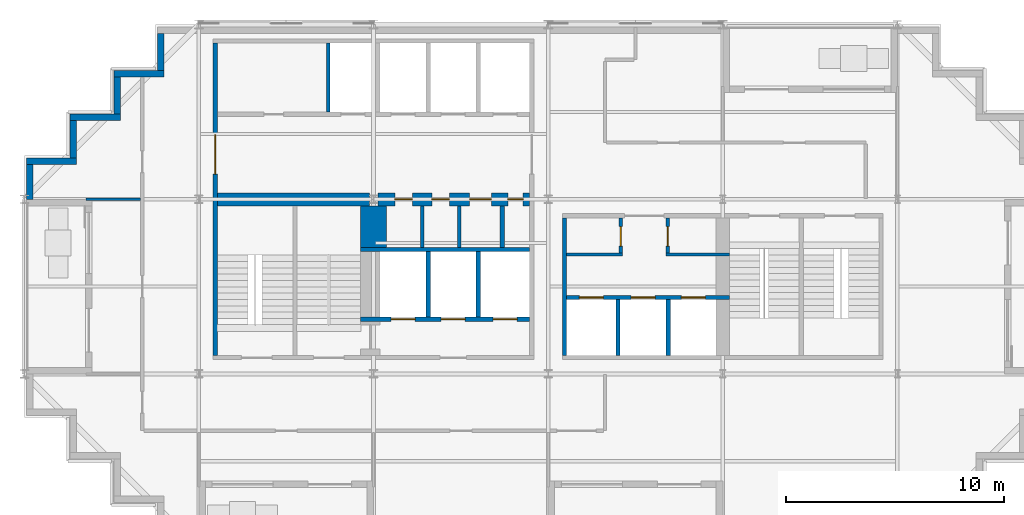
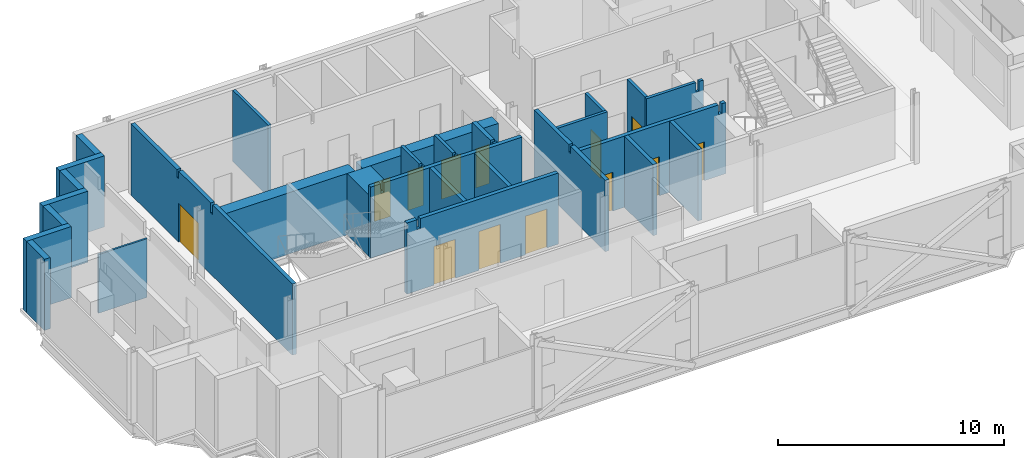
# One storey, part 5 of 9: 28 walls, 13 doors, 13 openings.
"""IFC4 building model written with IfcOpenShell, lengths in metres."""

from ifc_helpers import new_model, si_unit, direction, frame, frame_2d, origin, place, context, subcontext, project, spatial, polyline, rectangle, outline, extrude, material, layer, layer_set, type_object, element, fill, save


model = new_model("IFC4")

# Units and contexts
model_context = context("Model", 3, precision=1e-05, world=origin(), true_north=direction((0.0, 1.0)))
body_context = subcontext(model_context, "Body", "Model", "MODEL_VIEW")
ifc_project = project(units=[si_unit("LENGTHUNIT", "METRE"), si_unit("AREAUNIT", "SQUARE_METRE"), si_unit("VOLUMEUNIT", "CUBIC_METRE"), si_unit("PLANEANGLEUNIT", "RADIAN"), si_unit("MASSUNIT", "GRAM", prefix="KILO")], contexts=[model_context])

# Site, building, storey
site_placement = place(None, origin())
site = spatial("IfcSite", under=ifc_project, at=site_placement, CompositionType="ELEMENT")
building_placement = place(site_placement, origin())
building = spatial("IfcBuilding", under=site, at=building_placement, Name="Immortelle Media Tower", CompositionType="ELEMENT")
storey_placement = place(building_placement, frame((0.0, 0.0, 271.0)))
storey = spatial("IfcBuildingStorey", under=building, at=storey_placement, Name="L59", CompositionType="ELEMENT", Elevation=271.0)

# Wall, openings, doors
ifc_material_1 = material(Name="Fire-rated masonry blockwork", Category="masonry")
ifc_layer_1 = layer(ifc_material_1, 0.60009765625)
ifc_layer_set_1 = layer_set([ifc_layer_1], Name="Fire-rated masonry blockwork")
wall_type_1 = type_object("IfcWallType", Name="Core grid-line wall 600", PredefinedType="PARTITIONING", material=ifc_layer_set_1)
wall_1_placement = place(storey_placement, frame((16.195556640625, 16.0, 0.0), z_axis=(0.0, 0.0, 1.0), x_axis=(1.0, 0.0, 0.0)))
wall_1 = element("IfcWall", 1, at=wall_1_placement, inside=storey, type_object=wall_type_1, Name="Core grid-line wall SW", PredefinedType="PARTITIONING", context=body_context, shape_type="SweptSolid", body=[
    extrude(rectangle(XDim=6.954345703125, YDim=0.60009765625, at=frame_2d((3.47705078125, 0.0))), origin(), (0.0, 0.0, 1.0), 3.318115234375),
])
opening_1_placement = place(wall_1_placement, frame((1.57958984375, 0.0, 0.0), z_axis=(0.0, 0.0, 1.0), x_axis=(-1.0, 0.0, 0.0)))
opening_1 = element("IfcOpeningElement", 2, at=opening_1_placement, cuts=wall_1, Name="Opening X3-K027", PredefinedType="OPENING", context=body_context, shape_type="SweptSolid", body=[
    extrude(rectangle(XDim=0.800048828125, YDim=2.10009765625, at=frame_2d((0.39990234375, 1.050048828125))), frame((0.0, 0.31005859375, 0.0), z_axis=(0.0, -1.0, 0.0), x_axis=(1.0, 0.0, 0.0)), (0.0, 0.0, 1.0), 0.6201171875),
])
opening_2_placement = place(wall_1_placement, frame((3.279541015625, 0.0, 0.0), z_axis=(0.0, 0.0, 1.0), x_axis=(-1.0, 0.0, 0.0)))
opening_2 = element("IfcOpeningElement", 3, at=opening_2_placement, cuts=wall_1, Name="Opening X3-K028", PredefinedType="OPENING", context=body_context, shape_type="SweptSolid", body=[
    extrude(rectangle(XDim=0.800048828125, YDim=2.10009765625, at=frame_2d((0.39990234375, 1.050048828125))), frame((0.0, 0.31005859375, 0.0), z_axis=(0.0, -1.0, 0.0), x_axis=(1.0, 0.0, 0.0)), (0.0, 0.0, 1.0), 0.6201171875),
])
opening_3_placement = place(wall_1_placement, frame((5.20458984375, 0.0, 0.0), z_axis=(0.0, 0.0, 1.0), x_axis=(-1.0, 0.0, 0.0)))
opening_3 = element("IfcOpeningElement", 4, at=opening_3_placement, cuts=wall_1, Name="Opening X3-K029", PredefinedType="OPENING", context=body_context, shape_type="SweptSolid", body=[
    extrude(rectangle(XDim=1.0, YDim=2.10009765625, at=frame_2d((0.5, 1.050048828125))), frame((0.0, 0.31005859375, 0.0), z_axis=(0.0, -1.0, 0.0), x_axis=(1.0, 0.0, 0.0)), (0.0, 0.0, 1.0), 0.6201171875),
])
opening_4_placement = place(wall_1_placement, frame((6.654541015625, 0.0, 0.0), z_axis=(0.0, 0.0, 1.0), x_axis=(-1.0, 0.0, 0.0)))
opening_4 = element("IfcOpeningElement", 5, at=opening_4_placement, cuts=wall_1, Name="Opening X3-K018", PredefinedType="OPENING", context=body_context, shape_type="SweptSolid", body=[
    extrude(rectangle(XDim=0.699951171875, YDim=2.10009765625, at=frame_2d((0.35009765625, 1.050048828125))), frame((0.0, 0.31005859375, 0.0), z_axis=(0.0, -1.0, 0.0), x_axis=(1.0, 0.0, 0.0)), (0.0, 0.0, 1.0), 0.6201171875),
])
ifc_material_2 = material(Name="Timber", Category="wood")
door_type_1 = type_object("IfcDoorType", Name="Accessible toilet door 1000 x 2100", OperationType="NOTDEFINED", PredefinedType="NOTDEFINED", material=ifc_material_2)
door_1_placement = place(opening_3_placement, origin())
door_1 = element("IfcDoor", 6, at=door_1_placement, inside=storey, type_object=door_type_1, Name="Accessible toilet X3-K029", OperationType="SINGLE_SWING_LEFT", OverallHeight=2.10009765625, OverallWidth=1.0, PredefinedType="NOTDEFINED", context=body_context, shape_type="SweptSolid", body=[
    extrude(rectangle(XDim=1.0, YDim=2.10009765625, at=frame_2d((0.5, 1.050048828125))), frame((0.0, 0.02490234375, 0.0), z_axis=(0.0, -1.0, 0.0), x_axis=(1.0, 0.0, 0.0)), (0.0, 0.0, 1.0), 0.050048828125),
])
fill(opening_3, door_1)
ifc_material_3 = material(Name="Galvanised steel door leaf and frame ASTM A653", Category="steel")
door_type_2 = type_object("IfcDoorType", Name="Service door 700 x 2100", OperationType="NOTDEFINED", PredefinedType="NOTDEFINED", material=ifc_material_3)
door_2_placement = place(opening_4_placement, origin())
door_2 = element("IfcDoor", 7, at=door_2_placement, inside=storey, type_object=door_type_2, Name="Service X3-K018", OperationType="SINGLE_SWING_RIGHT", OverallHeight=2.10009765625, OverallWidth=0.699951171875, PredefinedType="NOTDEFINED", context=body_context, shape_type="SweptSolid", body=[
    extrude(rectangle(XDim=0.699951171875, YDim=2.10009765625, at=frame_2d((0.35009765625, 1.050048828125))), frame((0.0, 0.02490234375, 0.0), z_axis=(0.0, -1.0, 0.0), x_axis=(1.0, 0.0, 0.0)), (0.0, 0.0, 1.0), 0.050048828125),
])
fill(opening_4, door_2)
door_type_3 = type_object("IfcDoorType", Name="Toilet door 800 x 2100", OperationType="NOTDEFINED", PredefinedType="NOTDEFINED", material=ifc_material_2)
door_3_placement = place(opening_1_placement, origin())
door_3 = element("IfcDoor", 8, at=door_3_placement, inside=storey, type_object=door_type_3, Name="Toilet X3-K027", OperationType="SINGLE_SWING_LEFT", OverallHeight=2.10009765625, OverallWidth=0.800048828125, PredefinedType="NOTDEFINED", context=body_context, shape_type="SweptSolid", body=[
    extrude(rectangle(XDim=0.800048828125, YDim=2.10009765625, at=frame_2d((0.39990234375, 1.050048828125))), frame((0.0, 0.02490234375, 0.0), z_axis=(0.0, -1.0, 0.0), x_axis=(1.0, 0.0, 0.0)), (0.0, 0.0, 1.0), 0.050048828125),
])
fill(opening_1, door_3)
door_4_placement = place(opening_2_placement, origin())
door_4 = element("IfcDoor", 9, at=door_4_placement, inside=storey, type_object=door_type_3, Name="Toilet X3-K028", OperationType="SINGLE_SWING_RIGHT", OverallHeight=2.10009765625, OverallWidth=0.800048828125, PredefinedType="NOTDEFINED", context=body_context, shape_type="SweptSolid", body=[
    extrude(rectangle(XDim=0.800048828125, YDim=2.10009765625, at=frame_2d((0.39990234375, 1.050048828125))), frame((0.0, 0.02490234375, 0.0), z_axis=(0.0, -1.0, 0.0), x_axis=(1.0, 0.0, 0.0)), (0.0, 0.0, 1.0), 0.050048828125),
])
fill(opening_2, door_4)

# Walls
ifc_material_4 = material(Name="Fire-rated gypsum board", Category="gypsum")
ifc_layer_2 = layer(ifc_material_4, 0.02490234375)
ifc_material_5 = material(Name="Steel ASTM A653 SS Gr 50 stud frame with mineral wool", Category="steel")
ifc_layer_3 = layer(ifc_material_5, 0.10009765625)
ifc_layer_4 = layer(ifc_material_4, 0.02490234375)
ifc_layer_set_2 = layer_set([ifc_layer_2, ifc_layer_3, ifc_layer_4], Name="Steel ASTM A653 SS Gr 50 stud frame with mineral wool")
wall_type_2 = type_object("IfcWallType", Name="Core partition 150", PredefinedType="PARTITIONING", material=ifc_layer_set_2)
wall_2_placement = place(storey_placement, frame((13.925048828125, 20.0, 0.0), z_axis=(0.0, 0.0, 1.0), x_axis=(0.0, 1.0, 0.0)))
element("IfcWall", 10, at=wall_2_placement, inside=storey, type_object=wall_type_2, Name="Core partition SW", PredefinedType="PARTITIONING", context=body_context, shape_type="SweptSolid", body=[
    extrude(rectangle(XDim=3.14990234375, YDim=0.14990234375, at=frame_2d((1.574951171875, 0.0))), origin(), (0.0, 0.0, 1.0), 3.85009765625),
])
for number, where, z_axis, x_axis, name in (
    (11, (18.22509765625, 13.800048828125, 0.0), (0.0, 0.0, 1.0), (0.0, 1.0, 0.0), "Core partition SW"),
    (12, (19.925048828125, 13.800048828125, 0.0), (0.0, 0.0, 1.0), (0.0, 1.0, 0.0), "Core partition SW"),
):
    element("IfcWall", number, at=place(storey_placement, frame(where, z_axis=z_axis, x_axis=x_axis)), inside=storey, type_object=wall_type_2, Name=name, PredefinedType="PARTITIONING", context=body_context, shape_type="SweptSolid", body=[
        extrude(outline(polyline([(0.0, 0.0), (1.89990234375, 0.0), (1.89990234375, 3.85009765625), (0.27490234375, 3.85009765625), (0.27392578125, 3.43994140625), (0.1259765625, 3.43994140625), (0.125, 3.85009765625), (0.0, 3.85009765625), (0.0, 0.0)])), frame((0.0, 0.074951171875, 0.0), z_axis=(0.0, -1.0, 0.0), x_axis=(1.0, 0.0, 0.0)), (0.0, 0.0, 1.0), 0.14990234375),
    ])
wall_3_placement = place(storey_placement, frame((24.85009765625, 13.47509765625, 0.0), z_axis=(0.0, 0.0, 1.0), x_axis=(1.0, 0.0, 0.0)))
element("IfcWall", 13, at=wall_3_placement, inside=storey, type_object=wall_type_2, Name="Core partition SE", PredefinedType="PARTITIONING", context=body_context, shape_type="SweptSolid", body=[
    extrude(rectangle(XDim=2.5498046875, YDim=0.14990234375, at=frame_2d((1.27490234375, 0.0))), origin(), (0.0, 0.0, 1.0), 3.85009765625),
])

# Wall, opening, door
wall_4_placement = place(storey_placement, frame((27.324951171875, 13.550048828125, 0.0), z_axis=(0.0, 0.0, 1.0), x_axis=(0.0, 1.0, 0.0)))
wall_4 = element("IfcWall", 14, at=wall_4_placement, inside=storey, type_object=wall_type_2, Name="Core partition SE", PredefinedType="PARTITIONING", context=body_context, shape_type="SweptSolid", body=[
    extrude(rectangle(XDim=1.599853515625, YDim=0.14990234375, at=frame_2d((0.7998046875, 0.0))), origin(), (0.0, 0.0, 1.0), 3.85009765625),
])
opening_5_placement = place(wall_4_placement, frame((0.300048828125, 0.0, 0.0)))
opening_5 = element("IfcOpeningElement", 15, at=opening_5_placement, cuts=wall_4, Name="Opening X3-K021", PredefinedType="OPENING", context=body_context, shape_type="SweptSolid", body=[
    extrude(rectangle(XDim=0.89990234375, YDim=2.10009765625, at=frame_2d((0.449951171875, 1.050048828125))), frame((0.0, 0.0849609375, 0.0), z_axis=(0.0, -1.0, 0.0), x_axis=(1.0, 0.0, 0.0)), (0.0, 0.0, 1.0), 0.169921875),
])
door_type_4 = type_object("IfcDoorType", Name="Service door 900 x 2100", OperationType="NOTDEFINED", PredefinedType="NOTDEFINED", material=ifc_material_3)
door_5_placement = place(opening_5_placement, origin())
door_5 = element("IfcDoor", 16, at=door_5_placement, inside=storey, type_object=door_type_4, Name="Service X3-K021", OperationType="SINGLE_SWING_LEFT", OverallHeight=2.10009765625, OverallWidth=0.89990234375, PredefinedType="NOTDEFINED", context=body_context, shape_type="SweptSolid", body=[
    extrude(rectangle(XDim=0.89990234375, YDim=2.10009765625, at=frame_2d((0.449951171875, 1.050048828125))), frame((0.0, 0.02490234375, 0.0), z_axis=(0.0, -1.0, 0.0), x_axis=(1.0, 0.0, 0.0)), (0.0, 0.0, 1.0), 0.050048828125),
])
fill(opening_5, door_5)

# Wall
wall_5_placement = place(storey_placement, frame((29.39990234375, 13.47509765625, 0.0), z_axis=(0.0, 0.0, 1.0), x_axis=(1.0, 0.0, 0.0)))
element("IfcWall", 17, at=wall_5_placement, inside=storey, type_object=wall_type_2, Name="Core partition SE", PredefinedType="PARTITIONING", context=body_context, shape_type="SweptSolid", body=[
    extrude(outline(polyline([(0.0, 0.0), (2.900146484375, 0.0), (2.89990234375, 3.85009765625), (2.6875, 3.85009765625), (2.6865234375, 3.318115234375), (2.513427734375, 3.318115234375), (2.512451171875, 3.85009765625), (0.0, 3.85009765625), (0.0, 0.0)])), frame((0.0, 0.074951171875, 0.0), z_axis=(0.0, -1.0, 0.0), x_axis=(1.0, 0.0, 0.0)), (0.0, 0.0, 1.0), 0.14990234375),
])

# Wall, opening, door
wall_6_placement = place(storey_placement, frame((29.47509765625, 13.550048828125, 0.0), z_axis=(0.0, 0.0, 1.0), x_axis=(0.0, 1.0, 0.0)))
wall_6 = element("IfcWall", 18, at=wall_6_placement, inside=storey, type_object=wall_type_2, Name="Core partition SE", PredefinedType="PARTITIONING", context=body_context, shape_type="SweptSolid", body=[
    extrude(rectangle(XDim=1.599853515625, YDim=0.14990234375, at=frame_2d((0.7998046875, 0.0))), origin(), (0.0, 0.0, 1.0), 3.85009765625),
])
opening_6_placement = place(wall_6_placement, frame((1.199951171875, 0.0, 0.0), z_axis=(0.0, 0.0, 1.0), x_axis=(-1.0, 0.0, 0.0)))
opening_6 = element("IfcOpeningElement", 19, at=opening_6_placement, cuts=wall_6, Name="Opening X3-K030", PredefinedType="OPENING", context=body_context, shape_type="SweptSolid", body=[
    extrude(rectangle(XDim=0.89990234375, YDim=2.10009765625, at=frame_2d((0.449951171875, 1.050048828125))), frame((0.0, 0.0849609375, 0.0), z_axis=(0.0, -1.0, 0.0), x_axis=(1.0, 0.0, 0.0)), (0.0, 0.0, 1.0), 0.169921875),
])
door_type_5 = type_object("IfcDoorType", Name="Room door 900 x 2100", OperationType="NOTDEFINED", PredefinedType="NOTDEFINED", material=ifc_material_2)
door_6_placement = place(opening_6_placement, origin())
door_6 = element("IfcDoor", 20, at=door_6_placement, inside=storey, type_object=door_type_5, Name="Room X3-K030", OperationType="SINGLE_SWING_LEFT", OverallHeight=2.10009765625, OverallWidth=0.89990234375, PredefinedType="NOTDEFINED", context=body_context, shape_type="SweptSolid", body=[
    extrude(rectangle(XDim=0.89990234375, YDim=2.10009765625, at=frame_2d((0.449951171875, 1.050048828125))), frame((0.0, 0.02490234375, 0.0), z_axis=(0.0, -1.0, 0.0), x_axis=(1.0, 0.0, 0.0)), (0.0, 0.0, 1.0), 0.050048828125),
])
fill(opening_6, door_6)

# Wall, openings, doors
ifc_layer_5 = layer(ifc_material_4, 0.03759765625)
ifc_layer_6 = layer(ifc_material_5, 0.125)
ifc_layer_7 = layer(ifc_material_4, 0.03759765625)
ifc_layer_set_3 = layer_set([ifc_layer_5, ifc_layer_6, ifc_layer_7], Name="Steel ASTM A653 SS Gr 50 stud frame with mineral wool")
wall_type_3 = type_object("IfcWallType", Name="Core shaft wall 200", PredefinedType="PARTITIONING", material=ifc_layer_set_3)
wall_7_placement = place(storey_placement, frame((15.39990234375, 10.5, 0.0), z_axis=(0.0, 0.0, 1.0), x_axis=(1.0, 0.0, 0.0)))
wall_7 = element("IfcWall", 21, at=wall_7_placement, inside=storey, type_object=wall_type_3, Name="Core shaft wall SW", PredefinedType="PARTITIONING", context=body_context, shape_type="SweptSolid", body=[
    extrude(outline(polyline([(0.0, 0.0), (7.75, 0.0), (7.75, 3.85009765625), (0.6875, 3.85009765625), (0.6865234375, 3.318115234375), (0.513427734375, 3.318115234375), (0.512451171875, 3.85009765625), (0.0, 3.85009765625), (0.0, 0.0)])), frame((0.0, 0.10009765625, 0.0), z_axis=(0.0, -1.0, 0.0), x_axis=(1.0, 0.0, 0.0)), (0.0, 0.0, 1.0), 0.199951171875),
])
opening_7_placement = place(wall_7_placement, frame((1.39990234375, 0.0, 0.0)))
opening_7 = element("IfcOpeningElement", 22, at=opening_7_placement, cuts=wall_7, Name="Opening LD", PredefinedType="OPENING", context=body_context, shape_type="SweptSolid", body=[
    extrude(rectangle(XDim=1.10009765625, YDim=2.10009765625, at=frame_2d((0.550048828125, 1.050048828125))), frame((0.0, 0.10986328125, 0.0), z_axis=(0.0, -1.0, 0.0), x_axis=(1.0, 0.0, 0.0)), (0.0, 0.0, 1.0), 0.219970703125),
])
opening_8_placement = place(wall_7_placement, frame((3.699951171875, 0.0, 0.0)))
opening_8 = element("IfcOpeningElement", 23, at=opening_8_placement, cuts=wall_7, Name="Opening LD", PredefinedType="OPENING", context=body_context, shape_type="SweptSolid", body=[
    extrude(rectangle(XDim=1.10009765625, YDim=2.10009765625, at=frame_2d((0.550048828125, 1.050048828125))), frame((0.0, 0.10986328125, 0.0), z_axis=(0.0, -1.0, 0.0), x_axis=(1.0, 0.0, 0.0)), (0.0, 0.0, 1.0), 0.219970703125),
])
opening_9_placement = place(wall_7_placement, frame((6.074951171875, 0.0, 0.0)))
opening_9 = element("IfcOpeningElement", 24, at=opening_9_placement, cuts=wall_7, Name="Opening LD", PredefinedType="OPENING", context=body_context, shape_type="SweptSolid", body=[
    extrude(rectangle(XDim=1.10009765625, YDim=2.10009765625, at=frame_2d((0.550048828125, 1.050048828125))), frame((0.0, 0.10986328125, 0.0), z_axis=(0.0, -1.0, 0.0), x_axis=(1.0, 0.0, 0.0)), (0.0, 0.0, 1.0), 0.219970703125),
])
ifc_material_6 = material(Name="Stainless steel AISI 304", Category="steel")
door_type_6 = type_object("IfcDoorType", Name="Landing door 1100 x 2100", OperationType="SLIDING_TO_LEFT", PredefinedType="NOTDEFINED", material=ifc_material_6)
door_7_placement = place(opening_7_placement, origin())
door_7 = element("IfcDoor", 25, at=door_7_placement, inside=storey, type_object=door_type_6, Name="Landing door FF1 L59", OperationType="SLIDING_TO_LEFT", OverallHeight=2.10009765625, OverallWidth=1.10009765625, PredefinedType="NOTDEFINED", context=body_context, shape_type="SweptSolid", body=[
    extrude(rectangle(XDim=1.10009765625, YDim=2.10009765625, at=frame_2d((0.550048828125, 1.050048828125))), frame((0.0, 0.02490234375, 0.0), z_axis=(0.0, -1.0, 0.0), x_axis=(1.0, 0.0, 0.0)), (0.0, 0.0, 1.0), 0.050048828125),
])
fill(opening_7, door_7)
door_8_placement = place(opening_8_placement, origin())
door_8 = element("IfcDoor", 26, at=door_8_placement, inside=storey, type_object=door_type_6, Name="Landing door FF2 L59", OperationType="SLIDING_TO_LEFT", OverallHeight=2.10009765625, OverallWidth=1.10009765625, PredefinedType="NOTDEFINED", context=body_context, shape_type="SweptSolid", body=[
    extrude(rectangle(XDim=1.10009765625, YDim=2.10009765625, at=frame_2d((0.550048828125, 1.050048828125))), frame((0.0, 0.02490234375, 0.0), z_axis=(0.0, -1.0, 0.0), x_axis=(1.0, 0.0, 0.0)), (0.0, 0.0, 1.0), 0.050048828125),
])
fill(opening_8, door_8)
door_9_placement = place(opening_9_placement, origin())
door_9 = element("IfcDoor", 27, at=door_9_placement, inside=storey, type_object=door_type_6, Name="Landing door FF3 L59", OperationType="SLIDING_TO_LEFT", OverallHeight=2.10009765625, OverallWidth=1.10009765625, PredefinedType="NOTDEFINED", context=body_context, shape_type="SweptSolid", body=[
    extrude(rectangle(XDim=1.10009765625, YDim=2.10009765625, at=frame_2d((0.550048828125, 1.050048828125))), frame((0.0, 0.02490234375, 0.0), z_axis=(0.0, -1.0, 0.0), x_axis=(1.0, 0.0, 0.0)), (0.0, 0.0, 1.0), 0.050048828125),
])
fill(opening_9, door_9)

# Walls
wall_8_placement = place(storey_placement, frame((15.39990234375, 13.699951171875, 0.0), z_axis=(0.0, 0.0, 1.0), x_axis=(1.0, 0.0, 0.0)))
element("IfcWall", 28, at=wall_8_placement, inside=storey, type_object=wall_type_3, Name="Core shaft wall SW", PredefinedType="PARTITIONING", context=body_context, shape_type="SweptSolid", body=[
    extrude(outline(polyline([(0.0, 0.0), (7.75, 0.0), (7.75, 3.85009765625), (0.6875, 3.85009765625), (0.6865234375, 3.318115234375), (0.513427734375, 3.318115234375), (0.512451171875, 3.85009765625), (0.0, 3.85009765625), (0.0, 0.0)])), frame((0.0, 0.10009765625, 0.0), z_axis=(0.0, -1.0, 0.0), x_axis=(1.0, 0.0, 0.0)), (0.0, 0.0, 1.0), 0.199951171875),
])
for number, where, z_axis, x_axis, name in (
    (29, (18.5, 10.60009765625, 0.0), (0.0, 0.0, 1.0), (0.0, 1.0, 0.0), "Core shaft wall SW"),
    (30, (20.800048828125, 10.60009765625, 0.0), (0.0, 0.0, 1.0), (0.0, 1.0, 0.0), "Core shaft wall SW"),
):
    element("IfcWall", number, at=place(storey_placement, frame(where, z_axis=z_axis, x_axis=x_axis)), inside=storey, type_object=wall_type_3, Name=name, PredefinedType="PARTITIONING", context=body_context, shape_type="SweptSolid", body=[
        extrude(rectangle(XDim=3.0, YDim=0.199951171875, at=frame_2d((1.5, 0.0))), origin(), (0.0, 0.0, 1.0), 3.85009765625),
    ])
wall_9_placement = place(storey_placement, frame((21.89990234375, 13.800048828125, 0.0), z_axis=(0.0, 0.0, 1.0), x_axis=(0.0, 1.0, 0.0)))
element("IfcWall", 31, at=wall_9_placement, inside=storey, type_object=wall_type_3, Name="Core shaft wall SW", PredefinedType="PARTITIONING", context=body_context, shape_type="SweptSolid", body=[
    extrude(outline(polyline([(0.0, 0.0), (1.89990234375, 0.0), (1.89990234375, 3.85009765625), (0.27490234375, 3.85009765625), (0.27392578125, 3.43994140625), (0.1259765625, 3.43994140625), (0.125, 3.85009765625), (0.0, 3.85009765625), (0.0, 0.0)])), frame((0.0, 0.10009765625, 0.0), z_axis=(0.0, -1.0, 0.0), x_axis=(1.0, 0.0, 0.0)), (0.0, 0.0, 1.0), 0.199951171875),
])
wall_10_placement = place(storey_placement, frame((24.75, 8.85009765625, 0.0), z_axis=(0.0, 0.0, 1.0), x_axis=(0.0, 1.0, 0.0)))
element("IfcWall", 32, at=wall_10_placement, inside=storey, type_object=wall_type_3, Name="Core shaft wall SE", PredefinedType="PARTITIONING", context=body_context, shape_type="SweptSolid", body=[
    extrude(outline(polyline([(0.0, 0.0), (6.2998046875, 0.0), (6.300048828125, 3.85009765625), (3.22509765625, 3.85009765625), (3.22412109375, 3.43994140625), (3.075927734375, 3.43994140625), (3.074951171875, 3.85009765625), (0.0, 3.85009765625), (0.0, 0.0)])), frame((0.0, 0.10009765625, 0.0), z_axis=(0.0, -1.0, 0.0), x_axis=(1.0, 0.0, 0.0)), (0.0, 0.0, 1.0), 0.199951171875),
])

# Wall, openings, doors
wall_11_placement = place(storey_placement, frame((24.85009765625, 11.5, 0.0), z_axis=(0.0, 0.0, 1.0), x_axis=(1.0, 0.0, 0.0)))
wall_11 = element("IfcWall", 33, at=wall_11_placement, inside=storey, type_object=wall_type_3, Name="Core shaft wall SE", PredefinedType="PARTITIONING", context=body_context, shape_type="SweptSolid", body=[
    extrude(outline(polyline([(0.0, 0.0), (7.449951171875, 0.0), (7.449951171875, 3.85009765625), (7.237548828125, 3.85009765625), (7.236572265625, 3.318115234375), (7.0634765625, 3.318115234375), (7.0625, 3.85009765625), (0.0, 3.85009765625), (0.0, 0.0)])), frame((0.0, 0.10009765625, 0.0), z_axis=(0.0, -1.0, 0.0), x_axis=(1.0, 0.0, 0.0)), (0.0, 0.0, 1.0), 0.199951171875),
])
opening_10_placement = place(wall_11_placement, frame((0.574951171875, 0.0, 0.0)))
opening_10 = element("IfcOpeningElement", 34, at=opening_10_placement, cuts=wall_11, Name="Opening LD", PredefinedType="OPENING", context=body_context, shape_type="SweptSolid", body=[
    extrude(rectangle(XDim=1.10009765625, YDim=2.10009765625, at=frame_2d((0.550048828125, 1.050048828125))), frame((0.0, 0.10986328125, 0.0), z_axis=(0.0, -1.0, 0.0), x_axis=(1.0, 0.0, 0.0)), (0.0, 0.0, 1.0), 0.219970703125),
])
opening_11_placement = place(wall_11_placement, frame((2.949951171875, 0.0, 0.0)))
opening_11 = element("IfcOpeningElement", 35, at=opening_11_placement, cuts=wall_11, Name="Opening LD", PredefinedType="OPENING", context=body_context, shape_type="SweptSolid", body=[
    extrude(rectangle(XDim=1.10009765625, YDim=2.10009765625, at=frame_2d((0.550048828125, 1.050048828125))), frame((0.0, 0.10986328125, 0.0), z_axis=(0.0, -1.0, 0.0), x_axis=(1.0, 0.0, 0.0)), (0.0, 0.0, 1.0), 0.219970703125),
])
opening_12_placement = place(wall_11_placement, frame((5.25, 0.0, 0.0)))
opening_12 = element("IfcOpeningElement", 36, at=opening_12_placement, cuts=wall_11, Name="Opening LD", PredefinedType="OPENING", context=body_context, shape_type="SweptSolid", body=[
    extrude(rectangle(XDim=1.10009765625, YDim=2.10009765625, at=frame_2d((0.550048828125, 1.050048828125))), frame((0.0, 0.10986328125, 0.0), z_axis=(0.0, -1.0, 0.0), x_axis=(1.0, 0.0, 0.0)), (0.0, 0.0, 1.0), 0.219970703125),
])
door_10_placement = place(opening_10_placement, origin())
door_10 = element("IfcDoor", 37, at=door_10_placement, inside=storey, type_object=door_type_6, Name="Landing door HS1 L59", OperationType="SLIDING_TO_LEFT", OverallHeight=2.10009765625, OverallWidth=1.10009765625, PredefinedType="NOTDEFINED", context=body_context, shape_type="SweptSolid", body=[
    extrude(rectangle(XDim=1.10009765625, YDim=2.10009765625, at=frame_2d((0.550048828125, 1.050048828125))), frame((0.0, 0.02490234375, 0.0), z_axis=(0.0, -1.0, 0.0), x_axis=(1.0, 0.0, 0.0)), (0.0, 0.0, 1.0), 0.050048828125),
])
fill(opening_10, door_10)
door_11_placement = place(opening_11_placement, origin())
door_11 = element("IfcDoor", 38, at=door_11_placement, inside=storey, type_object=door_type_6, Name="Landing door HS2 L59", OperationType="SLIDING_TO_LEFT", OverallHeight=2.10009765625, OverallWidth=1.10009765625, PredefinedType="NOTDEFINED", context=body_context, shape_type="SweptSolid", body=[
    extrude(rectangle(XDim=1.10009765625, YDim=2.10009765625, at=frame_2d((0.550048828125, 1.050048828125))), frame((0.0, 0.02490234375, 0.0), z_axis=(0.0, -1.0, 0.0), x_axis=(1.0, 0.0, 0.0)), (0.0, 0.0, 1.0), 0.050048828125),
])
fill(opening_11, door_11)
door_12_placement = place(opening_12_placement, origin())
door_12 = element("IfcDoor", 39, at=door_12_placement, inside=storey, type_object=door_type_6, Name="Landing door HS3 L59", OperationType="SLIDING_TO_LEFT", OverallHeight=2.10009765625, OverallWidth=1.10009765625, PredefinedType="NOTDEFINED", context=body_context, shape_type="SweptSolid", body=[
    extrude(rectangle(XDim=1.10009765625, YDim=2.10009765625, at=frame_2d((0.550048828125, 1.050048828125))), frame((0.0, 0.02490234375, 0.0), z_axis=(0.0, -1.0, 0.0), x_axis=(1.0, 0.0, 0.0)), (0.0, 0.0, 1.0), 0.050048828125),
])
fill(opening_12, door_12)

# Walls
for number, where, z_axis, x_axis, name in (
    (40, (27.199951171875, 8.85009765625, 0.0), (0.0, 0.0, 1.0), (0.0, 1.0, 0.0), "Core shaft wall SE"),
    (41, (29.5, 8.85009765625, 0.0), (0.0, 0.0, 1.0), (0.0, 1.0, 0.0), "Core shaft wall SE"),
):
    element("IfcWall", number, at=place(storey_placement, frame(where, z_axis=z_axis, x_axis=x_axis)), inside=storey, type_object=wall_type_3, Name=name, PredefinedType="PARTITIONING", context=body_context, shape_type="SweptSolid", body=[
        extrude(rectangle(XDim=2.5498046875, YDim=0.199951171875, at=frame_2d((1.27490234375, 0.0))), origin(), (0.0, 0.0, 1.0), 3.85009765625),
    ])
ifc_material_7 = material(Name="Pale aluminium cladding panel", Category="aluminium")
ifc_layer_8 = layer(ifc_material_7, 0.030029296875)
ifc_layer_9 = layer(ifc_material_5, 0.257568359375)
ifc_material_8 = material(Name="Moisture-resistant gypsum board", Category="gypsum")
ifc_layer_10 = layer(ifc_material_8, 0.012451171875)
ifc_layer_set_4 = layer_set([ifc_layer_8, ifc_layer_9, ifc_layer_10], Name="Steel ASTM A653 SS Gr 50 stud frame with mineral wool")
wall_type_4 = type_object("IfcWallType", Name="Facade wall 300", PredefinedType="SOLIDWALL", material=ifc_layer_set_4)
wall_12_placement = place(storey_placement, frame((6.25, 23.60009765625, 0.0), z_axis=(0.0, 0.0, 1.0), x_axis=(0.0, -1.0, 0.0)))
element("IfcWall", 42, at=wall_12_placement, inside=storey, type_object=wall_type_4, Name="Facade wall L59 W21", PredefinedType="SOLIDWALL", context=body_context, shape_type="SweptSolid", body=[
    extrude(rectangle(XDim=1.7001953125, YDim=0.300048828125, at=frame_2d((0.85009765625, 0.0))), origin(), (0.0, 0.0, 1.0), 3.85009765625),
])
wall_13_placement = place(storey_placement, frame((6.39990234375, 21.75, 0.0), z_axis=(0.0, 0.0, 1.0), x_axis=(-1.0, 0.0, 0.0)))
element("IfcWall", 43, at=wall_13_placement, inside=storey, type_object=wall_type_4, Name="Facade wall L59 N22", PredefinedType="SOLIDWALL", context=body_context, shape_type="SweptSolid", body=[
    extrude(rectangle(XDim=2.2998046875, YDim=0.300048828125, at=frame_2d((1.14990234375, 0.0))), origin(), (0.0, 0.0, 1.0), 3.85009765625),
])
wall_14_placement = place(storey_placement, frame((4.25, 21.60009765625, 0.0), z_axis=(0.0, 0.0, 1.0), x_axis=(0.0, -1.0, 0.0)))
element("IfcWall", 44, at=wall_14_placement, inside=storey, type_object=wall_type_4, Name="Facade wall L59 W23", PredefinedType="SOLIDWALL", context=body_context, shape_type="SweptSolid", body=[
    extrude(rectangle(XDim=1.7001953125, YDim=0.300048828125, at=frame_2d((0.85009765625, 0.0))), origin(), (0.0, 0.0, 1.0), 3.85009765625),
])
wall_15_placement = place(storey_placement, frame((4.39990234375, 19.75, 0.0), z_axis=(0.0, 0.0, 1.0), x_axis=(-1.0, 0.0, 0.0)))
element("IfcWall", 45, at=wall_15_placement, inside=storey, type_object=wall_type_4, Name="Facade wall L59 N24", PredefinedType="SOLIDWALL", context=body_context, shape_type="SweptSolid", body=[
    extrude(rectangle(XDim=2.2998046875, YDim=0.300048828125, at=frame_2d((1.14990234375, 0.0))), origin(), (0.0, 0.0, 1.0), 3.85009765625),
])
wall_16_placement = place(storey_placement, frame((2.25, 19.60009765625, 0.0), z_axis=(0.0, 0.0, 1.0), x_axis=(0.0, -1.0, 0.0)))
element("IfcWall", 46, at=wall_16_placement, inside=storey, type_object=wall_type_4, Name="Facade wall L59 W25", PredefinedType="SOLIDWALL", context=body_context, shape_type="SweptSolid", body=[
    extrude(rectangle(XDim=1.7001953125, YDim=0.300048828125, at=frame_2d((0.85009765625, 0.0))), origin(), (0.0, 0.0, 1.0), 3.85009765625),
])
wall_17_placement = place(storey_placement, frame((2.39990234375, 17.75, 0.0), z_axis=(0.0, 0.0, 1.0), x_axis=(-1.0, 0.0, 0.0)))
element("IfcWall", 47, at=wall_17_placement, inside=storey, type_object=wall_type_4, Name="Facade wall L59 N26", PredefinedType="SOLIDWALL", context=body_context, shape_type="SweptSolid", body=[
    extrude(rectangle(XDim=2.2998046875, YDim=0.300048828125, at=frame_2d((1.14990234375, 0.0))), origin(), (0.0, 0.0, 1.0), 3.85009765625),
])
wall_18_placement = place(storey_placement, frame((0.25, 17.60009765625, 0.0), z_axis=(0.0, 0.0, 1.0), x_axis=(0.0, -1.0, 0.0)))
element("IfcWall", 48, at=wall_18_placement, inside=storey, type_object=wall_type_4, Name="Facade wall L59 W27", PredefinedType="SOLIDWALL", context=body_context, shape_type="SweptSolid", body=[
    extrude(rectangle(XDim=1.60009765625, YDim=0.300048828125, at=frame_2d((0.800048828125, 0.0))), origin(), (0.0, 0.0, 1.0), 3.85009765625),
])
ifc_material_9 = material(Name="Gypsum board", Category="gypsum")
ifc_layer_11 = layer(ifc_material_9, 0.012451171875)
ifc_layer_12 = layer(ifc_material_5, 0.074951171875)
ifc_layer_13 = layer(ifc_material_9, 0.012451171875)
ifc_layer_set_5 = layer_set([ifc_layer_11, ifc_layer_12, ifc_layer_13], Name="Steel ASTM A653 SS Gr 50 stud frame with mineral wool")
wall_type_5 = type_object("IfcWallType", Name="Partition 100", PredefinedType="PARTITIONING", material=ifc_layer_set_5)
wall_19_placement = place(storey_placement, frame((2.830078125, 16.0, 0.0), z_axis=(0.0, 0.0, 1.0), x_axis=(1.0, 0.0, 0.0)))
element("IfcWall", 49, at=wall_19_placement, inside=storey, type_object=wall_type_5, Name="Partition L59-008", PredefinedType="PARTITIONING", context=body_context, shape_type="SweptSolid", body=[
    extrude(rectangle(XDim=2.494873046875, YDim=0.10009765625, at=frame_2d((1.24755859375, 0.0))), origin(), (0.0, 0.0, 1.0), 3.172119140625),
])
ifc_material_10 = material(Name="Concrete C60", Category="concrete")
ifc_layer_14 = layer(ifc_material_10, 1.199951171875)
ifc_layer_set_6 = layer_set([ifc_layer_14], Name="Concrete C60")
wall_type_6 = type_object("IfcWallType", Name="Stair shaft wall 1200", PredefinedType="PARTITIONING", material=ifc_layer_set_6)
wall_20_placement = place(storey_placement, frame((16.0, 13.800048828125, 0.0), z_axis=(0.0, 0.0, 1.0), x_axis=(0.0, 1.0, 0.0)))
element("IfcWall", 50, at=wall_20_placement, inside=storey, type_object=wall_type_6, Name="Stair shaft wall SW", PredefinedType="PARTITIONING", context=body_context, shape_type="SweptSolid", body=[
    extrude(rectangle(XDim=1.89990234375, YDim=1.199951171875, at=frame_2d((0.949951171875, 0.0))), origin(), (0.0, 0.0, 1.0), 3.318115234375),
])

# Wall, opening, door
ifc_layer_15 = layer(ifc_material_10, 0.199951171875)
ifc_layer_set_7 = layer_set([ifc_layer_15], Name="Concrete C60")
wall_type_7 = type_object("IfcWallType", Name="Stair shaft wall 200", PredefinedType="PARTITIONING", material=ifc_layer_set_7)
wall_21_placement = place(storey_placement, frame((8.75, 8.85009765625, 0.0), z_axis=(0.0, 0.0, 1.0), x_axis=(0.0, 1.0, 0.0)))
wall_21 = element("IfcWall", 51, at=wall_21_placement, inside=storey, type_object=wall_type_7, Name="Stair shaft wall SW", PredefinedType="PARTITIONING", context=body_context, shape_type="SweptSolid", body=[
    extrude(outline(polyline([(0.0, 0.0), (14.2998046875, 0.0), (14.300048828125, 3.85009765625), (10.22509765625, 3.85009765625), (10.22412109375, 3.43994140625), (10.075927734375, 3.43994140625), (10.074951171875, 3.85009765625), (7.237548828125, 3.85009765625), (7.236572265625, 3.318115234375), (7.0634765625, 3.318115234375), (7.0625, 3.85009765625), (0.0, 3.85009765625), (0.0, 0.0)])), frame((0.0, 0.10009765625, 0.0), z_axis=(0.0, -1.0, 0.0), x_axis=(1.0, 0.0, 0.0)), (0.0, 0.0, 1.0), 0.199951171875),
])
opening_13_placement = place(wall_21_placement, frame((8.300048828125, 0.0, 0.0)))
opening_13 = element("IfcOpeningElement", 52, at=opening_13_placement, cuts=wall_21, Name="Opening X3-K001", PredefinedType="OPENING", context=body_context, shape_type="SweptSolid", body=[
    extrude(rectangle(XDim=1.800048828125, YDim=2.10009765625, at=frame_2d((0.89990234375, 1.050048828125))), frame((0.0, 0.10986328125, 0.0), z_axis=(0.0, -1.0, 0.0), x_axis=(1.0, 0.0, 0.0)), (0.0, 0.0, 1.0), 0.219970703125),
])
door_type_7 = type_object("IfcDoorType", Name="Lift lobby door 1800 x 2100", OperationType="DOUBLE_DOOR_SINGLE_SWING", PredefinedType="NOTDEFINED", material=ifc_material_3)
door_13_placement = place(opening_13_placement, origin())
door_13 = element("IfcDoor", 53, at=door_13_placement, inside=storey, type_object=door_type_7, Name="Lift lobby X3-K001", OperationType="DOUBLE_DOOR_SINGLE_SWING", OverallHeight=2.10009765625, OverallWidth=1.800048828125, PredefinedType="NOTDEFINED", context=body_context, shape_type="SweptSolid", body=[
    extrude(rectangle(XDim=1.800048828125, YDim=2.10009765625, at=frame_2d((0.89990234375, 1.050048828125))), frame((0.0, 0.02490234375, 0.0), z_axis=(0.0, -1.0, 0.0), x_axis=(1.0, 0.0, 0.0)), (0.0, 0.0, 1.0), 0.050048828125),
])
fill(opening_13, door_13)

# Wall
ifc_layer_16 = layer(ifc_material_10, 0.60009765625)
ifc_layer_set_8 = layer_set([ifc_layer_16], Name="Concrete C60")
wall_type_8 = type_object("IfcWallType", Name="Stair shaft wall 600", PredefinedType="PARTITIONING", material=ifc_layer_set_8)
wall_22_placement = place(storey_placement, frame((8.85009765625, 16.0, 0.0), z_axis=(0.0, 0.0, 1.0), x_axis=(1.0, 0.0, 0.0)))
element("IfcWall", 54, at=wall_22_placement, inside=storey, type_object=wall_type_8, Name="Stair shaft wall SW", PredefinedType="PARTITIONING", context=body_context, shape_type="SweptSolid", body=[
    extrude(rectangle(XDim=6.954345703125, YDim=0.60009765625, at=frame_2d((3.47705078125, 0.0))), origin(), (0.0, 0.0, 1.0), 3.318115234375),
])

save(model, "model.ifc")
